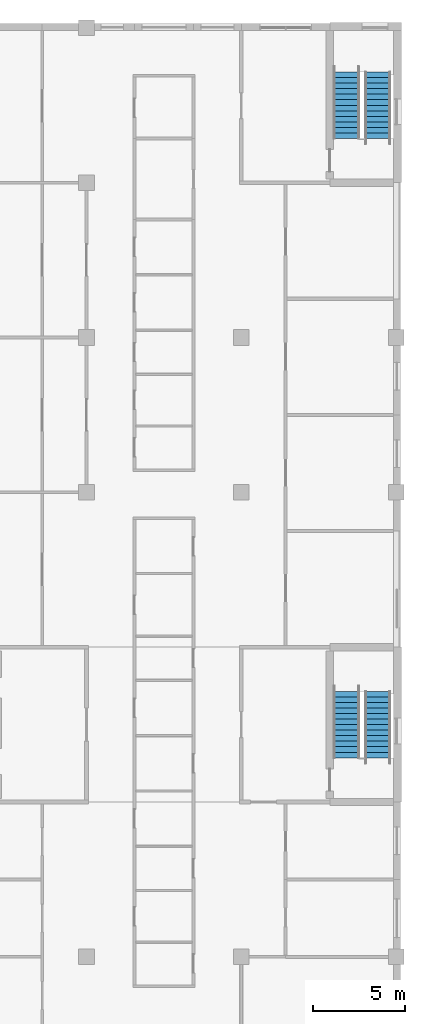
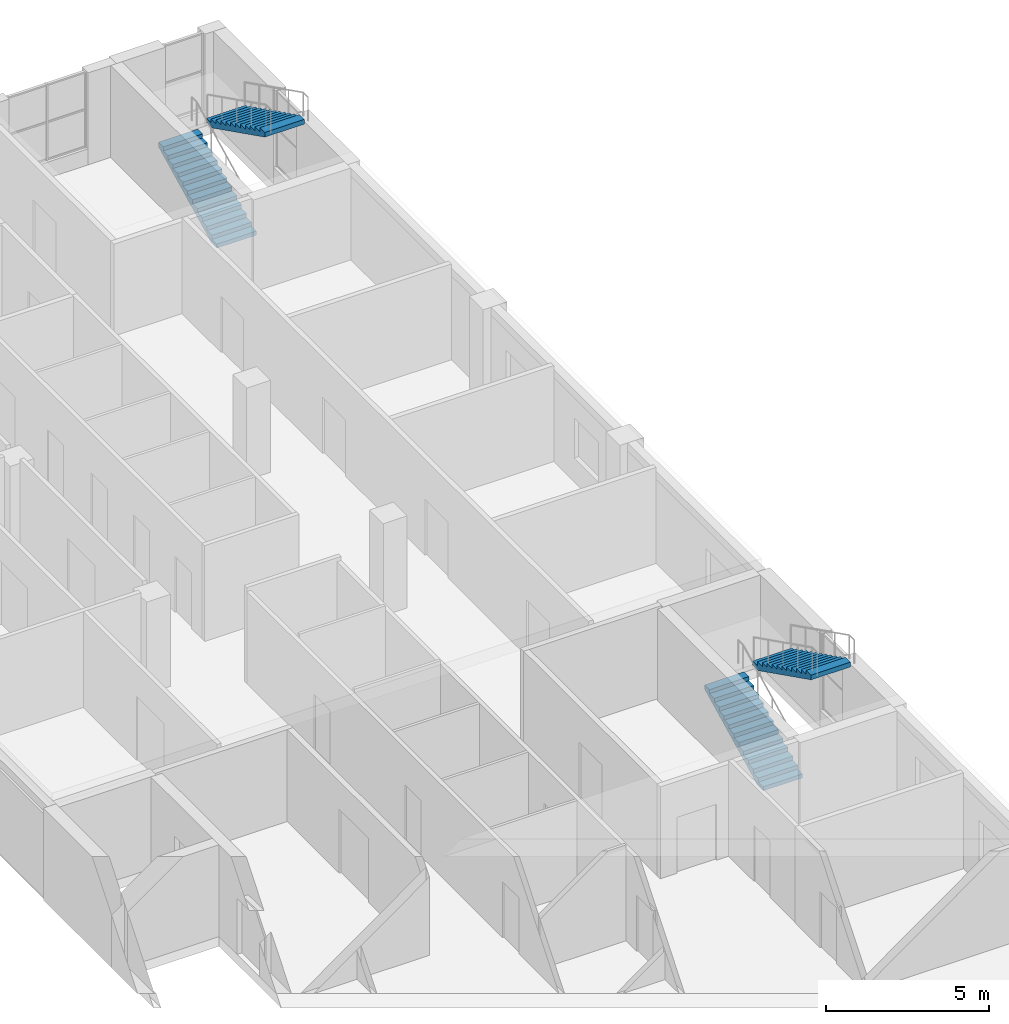
# One storey, part 80 of 94: 4 stair flights, 2 elements without a shape of their own.
"""IFC4 building model written with IfcOpenShell, lengths in metres."""

from ifc_helpers import new_model, si_unit, direction, frame, origin, place, context, subcontext, project, spatial, polyline, outline, extrude, material, type_object, element, aggregate, save


model = new_model("IFC4")

# Units and contexts
model_context = context("Model", 3, precision=1e-05, world=origin(), true_north=direction((0.0, 1.0)))
body_context = subcontext(model_context, "Body", "Model", "MODEL_VIEW")
ifc_project = project(units=[si_unit("LENGTHUNIT", "METRE"), si_unit("AREAUNIT", "SQUARE_METRE"), si_unit("VOLUMEUNIT", "CUBIC_METRE"), si_unit("PLANEANGLEUNIT", "RADIAN"), si_unit("MASSUNIT", "GRAM", prefix="KILO")], contexts=[model_context])

# Site, building, storey
site_placement = place(None, origin())
site = spatial("IfcSite", under=ifc_project, at=site_placement, CompositionType="ELEMENT")
building_placement = place(site_placement, origin())
building = spatial("IfcBuilding", under=site, at=building_placement, Name="Yavir Park General Hospital", CompositionType="ELEMENT")
storey_placement = place(building_placement, frame((0.0, 0.0, 4.5)))
storey = spatial("IfcBuildingStorey", under=building, at=storey_placement, Name="L01", CompositionType="ELEMENT", Elevation=4.5)

# Stair, stair flights
ifc_material_1 = material(Name="Concrete C30/37", Category="concrete")
stair_type = type_object("IfcStairType", Name="Patient escape stair, 26 risers of 150 mm, 1400 mm flights", PredefinedType="HALF_TURN_STAIR", material=ifc_material_1)
stair_1_placement = place(storey_placement, origin())
stair_1 = element("IfcStair", 1, at=stair_1_placement, inside=storey, type_object=stair_type, Name="Stair ES2, L01 to L02", PredefinedType="HALF_TURN_STAIR")
ifc_material_2 = material(Name="Concrete C30/37", Category="concrete")
stair_flight_type = type_object("IfcStairFlightType", Name="Patient escape stair flight, 13 risers, 1400 mm wide", PredefinedType="STRAIGHT", material=ifc_material_2)
stair_flight_1_placement = place(storey_placement, frame((165.300048828125, 78.0, 0.0), z_axis=(0.0, 0.0, 1.0), x_axis=(0.0, 1.0, 0.0)))
stair_flight_1 = element("IfcStairFlight", 2, at=stair_flight_1_placement, type_object=stair_flight_type, Name="ES2 flight 1", NumberOfRisers=13, NumberOfTreads=12, PredefinedType="STRAIGHT", RiserHeight=0.15, TreadLength=0.3, context=body_context, shape_type="SweptSolid", body=[
    extrude(outline(polyline([(0.0, 0.0), (0.0, 0.14990234375), (0.300048828125, 0.14990234375), (0.300048828125, 0.300048828125), (0.60009765625, 0.300048828125), (0.60009765625, 0.449951171875), (0.89990234375, 0.449951171875), (0.89990234375, 0.60009765625), (1.199951171875, 0.60009765625), (1.199951171875, 0.75), (1.5, 0.75), (1.5, 0.89990234375), (1.800048828125, 0.89990234375), (1.800048828125, 1.050048828125), (2.10009765625, 1.050048828125), (2.10009765625, 1.199951171875), (2.39990234375, 1.199951171875), (2.39990234375, 1.35009765625), (2.699951171875, 1.35009765625), (2.699951171875, 1.5), (3.0, 1.5), (3.0, 1.64990234375), (3.300048828125, 1.64990234375), (3.300048828125, 1.800048828125), (3.60009765625, 1.800048828125), (3.60009765625, 1.949951171875), (3.60009765625, 1.62109375), (0.357666015625, 0.0), (0.0, 0.0)])), frame((0.0, 0.699951171875, 0.0), z_axis=(0.0, -1.0, 0.0), x_axis=(1.0, 0.0, 0.0)), (0.0, 0.0, 1.0), 1.39990234375),
])
stair_flight_2_placement = place(storey_placement, frame((167.0, 81.60009765625, 1.949951171875), z_axis=(0.0, 0.0, 1.0), x_axis=(0.0, -1.0, 0.0)))
stair_flight_2 = element("IfcStairFlight", 3, at=stair_flight_2_placement, type_object=stair_flight_type, Name="ES2 flight 2", NumberOfRisers=13, NumberOfTreads=12, PredefinedType="STRAIGHT", RiserHeight=0.15, TreadLength=0.3, context=body_context, shape_type="SweptSolid", body=[
    extrude(outline(polyline([(0.0, 0.0), (0.0, 0.14990234375), (0.300048828125, 0.14990234375), (0.300048828125, 0.300048828125), (0.60009765625, 0.300048828125), (0.60009765625, 0.449951171875), (0.89990234375, 0.449951171875), (0.89990234375, 0.60009765625), (1.199951171875, 0.60009765625), (1.199951171875, 0.75), (1.5, 0.75), (1.5, 0.89990234375), (1.800048828125, 0.89990234375), (1.800048828125, 1.050048828125), (2.10009765625, 1.050048828125), (2.10009765625, 1.199951171875), (2.39990234375, 1.199951171875), (2.39990234375, 1.35009765625), (2.699951171875, 1.35009765625), (2.699951171875, 1.5), (3.0, 1.5), (3.0, 1.64990234375), (3.300048828125, 1.64990234375), (3.300048828125, 1.800048828125), (3.60009765625, 1.800048828125), (3.60009765625, 1.949951171875), (3.60009765625, 1.62109375), (0.357666015625, 0.0), (0.0, 0.0)])), frame((0.0, 0.699951171875, 0.0), z_axis=(0.0, -1.0, 0.0), x_axis=(1.0, 0.0, 0.0)), (0.0, 0.0, 1.0), 1.39990234375),
])
aggregate(stair_1, [stair_flight_1, stair_flight_2])

stair_2_placement = place(storey_placement, origin())
stair_2 = element("IfcStair", 4, at=stair_2_placement, inside=storey, type_object=stair_type, Name="Stair ES3, L01 to L02", PredefinedType="HALF_TURN_STAIR")
stair_flight_3_placement = place(storey_placement, frame((165.300048828125, 111.60009765625, 0.0), z_axis=(0.0, 0.0, 1.0), x_axis=(0.0, 1.0, 0.0)))
stair_flight_3 = element("IfcStairFlight", 5, at=stair_flight_3_placement, type_object=stair_flight_type, Name="ES3 flight 1", NumberOfRisers=13, NumberOfTreads=12, PredefinedType="STRAIGHT", RiserHeight=0.15, TreadLength=0.3, context=body_context, shape_type="SweptSolid", body=[
    extrude(outline(polyline([(0.0, 0.0), (0.0, 0.14990234375), (0.300048828125, 0.14990234375), (0.300048828125, 0.300048828125), (0.60009765625, 0.300048828125), (0.60009765625, 0.449951171875), (0.89990234375, 0.449951171875), (0.89990234375, 0.60009765625), (1.199951171875, 0.60009765625), (1.199951171875, 0.75), (1.5, 0.75), (1.5, 0.89990234375), (1.800048828125, 0.89990234375), (1.800048828125, 1.050048828125), (2.10009765625, 1.050048828125), (2.10009765625, 1.199951171875), (2.39990234375, 1.199951171875), (2.39990234375, 1.35009765625), (2.699951171875, 1.35009765625), (2.699951171875, 1.5), (3.0, 1.5), (3.0, 1.64990234375), (3.300048828125, 1.64990234375), (3.300048828125, 1.800048828125), (3.60009765625, 1.800048828125), (3.60009765625, 1.949951171875), (3.60009765625, 1.62109375), (0.357666015625, 0.0), (0.0, 0.0)])), frame((0.0, 0.699951171875, 0.0), z_axis=(0.0, -1.0, 0.0), x_axis=(1.0, 0.0, 0.0)), (0.0, 0.0, 1.0), 1.39990234375),
])
stair_flight_4_placement = place(storey_placement, frame((167.0, 115.199951171875, 1.949951171875), z_axis=(0.0, 0.0, 1.0), x_axis=(0.0, -1.0, 0.0)))
stair_flight_4 = element("IfcStairFlight", 6, at=stair_flight_4_placement, type_object=stair_flight_type, Name="ES3 flight 2", NumberOfRisers=13, NumberOfTreads=12, PredefinedType="STRAIGHT", RiserHeight=0.15, TreadLength=0.3, context=body_context, shape_type="SweptSolid", body=[
    extrude(outline(polyline([(0.0, 0.0), (0.0, 0.14990234375), (0.300048828125, 0.14990234375), (0.300048828125, 0.300048828125), (0.60009765625, 0.300048828125), (0.60009765625, 0.449951171875), (0.89990234375, 0.449951171875), (0.89990234375, 0.60009765625), (1.199951171875, 0.60009765625), (1.199951171875, 0.75), (1.5, 0.75), (1.5, 0.89990234375), (1.800048828125, 0.89990234375), (1.800048828125, 1.050048828125), (2.10009765625, 1.050048828125), (2.10009765625, 1.199951171875), (2.39990234375, 1.199951171875), (2.39990234375, 1.35009765625), (2.699951171875, 1.35009765625), (2.699951171875, 1.5), (3.0, 1.5), (3.0, 1.64990234375), (3.300048828125, 1.64990234375), (3.300048828125, 1.800048828125), (3.60009765625, 1.800048828125), (3.60009765625, 1.949951171875), (3.60009765625, 1.62109375), (0.357666015625, 0.0), (0.0, 0.0)])), frame((0.0, 0.699951171875, 0.0), z_axis=(0.0, -1.0, 0.0), x_axis=(1.0, 0.0, 0.0)), (0.0, 0.0, 1.0), 1.39990234375),
])
aggregate(stair_2, [stair_flight_3, stair_flight_4])

save(model, "model.ifc")
